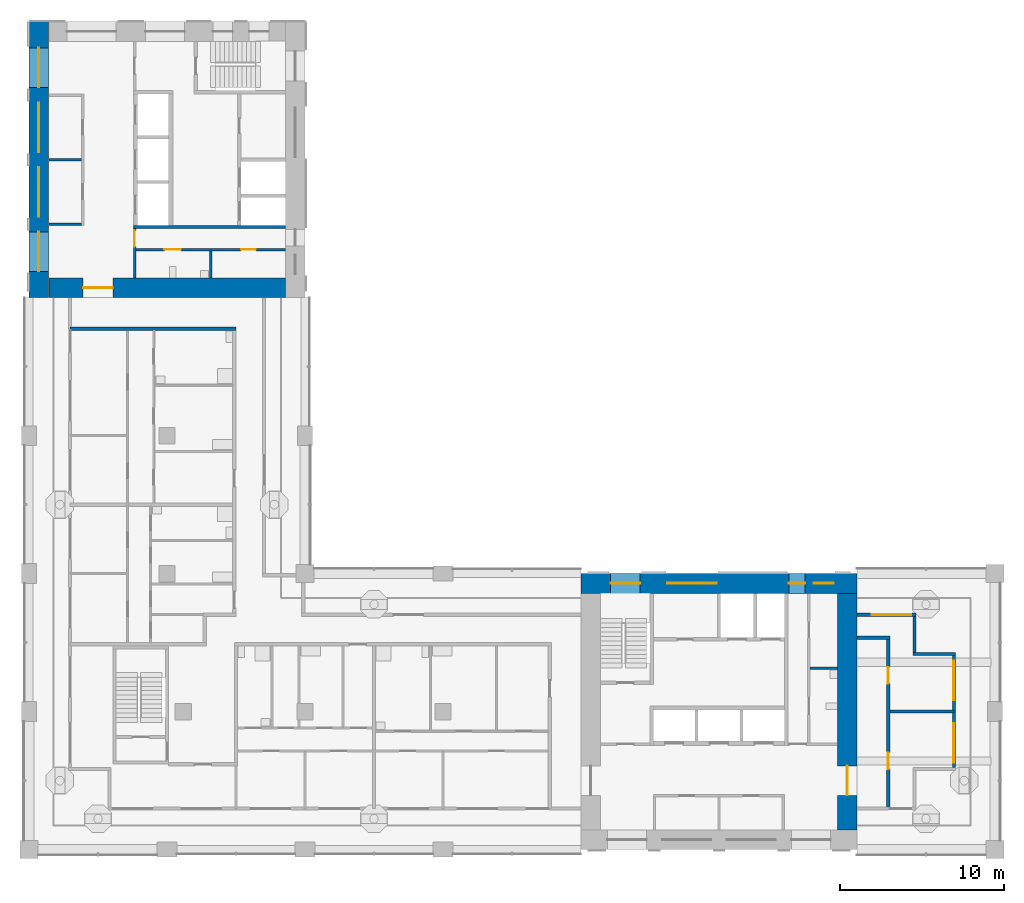
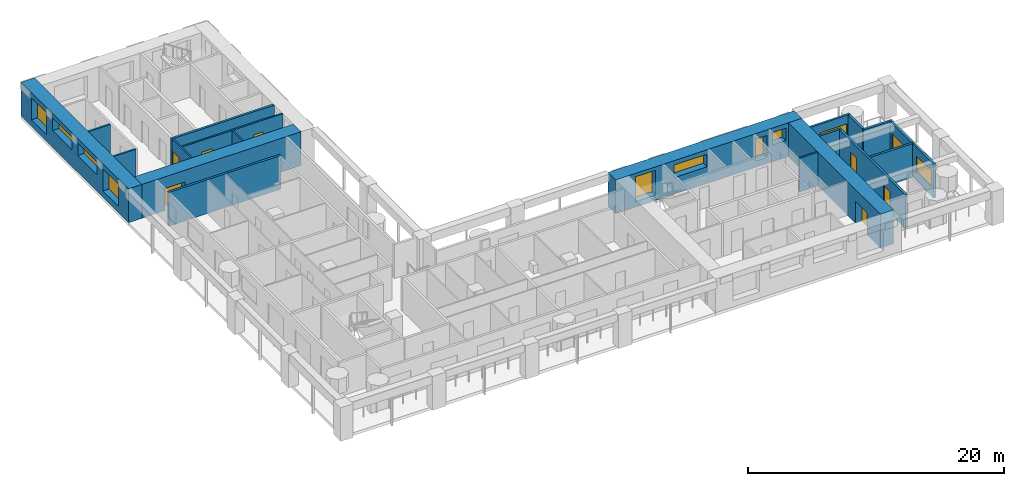
# One storey, part 5 of 13: 19 walls, 10 windows, 8 doors, 18 openings.
"""IFC4 building model written with IfcOpenShell, lengths in metres."""

from ifc_helpers import new_model, si_unit, direction, frame, frame_2d, origin, place, context, subcontext, project, spatial, rectangle, extrude, material, layer, layer_set, type_object, element, fill, save


model = new_model("IFC4")

# Units and contexts
model_context = context("Model", 3, precision=1e-05, world=origin(), true_north=direction((0.0, 1.0)))
body_context = subcontext(model_context, "Body", "Model", "MODEL_VIEW")
ifc_project = project(units=[si_unit("LENGTHUNIT", "METRE"), si_unit("AREAUNIT", "SQUARE_METRE"), si_unit("VOLUMEUNIT", "CUBIC_METRE"), si_unit("PLANEANGLEUNIT", "RADIAN"), si_unit("MASSUNIT", "GRAM", prefix="KILO")], contexts=[model_context])

# Site, building, storey
site_placement = place(None, origin())
site = spatial("IfcSite", under=ifc_project, at=site_placement, CompositionType="ELEMENT")
building_placement = place(site_placement, origin())
building = spatial("IfcBuilding", under=site, at=building_placement, Name="Vermilion Gate Residences", CompositionType="ELEMENT")
storey_placement = place(building_placement, frame((0.0, 0.0, 182.699951171875)))
storey = spatial("IfcBuildingStorey", under=building, at=storey_placement, Name="L47", CompositionType="ELEMENT", Elevation=182.699951171875)

# Walls
ifc_material_1 = material(Name="Masonry blockwork", Category="masonry")
ifc_layer_1 = layer(ifc_material_1, 0.14990234375)
ifc_layer_set_1 = layer_set([ifc_layer_1], Name="BLOCKWORK PARTITION 150 EI 120")
wall_type_1 = type_object("IfcWallType", Name="BLOCKWORK PARTITION 150 EI 120", PredefinedType="PARTITIONING", material=ifc_layer_set_1)
wall_1_placement = place(storey_placement, frame((55.949951171875, 19.449951171875, 0.0), z_axis=(0.0, 0.0, 1.0), x_axis=(1.0, 0.0, 0.0)))
element("IfcWall", 1, at=wall_1_placement, inside=storey, type_object=wall_type_1, Name="Core room partition A47-ES-P0", PredefinedType="PARTITIONING", context=body_context, shape_type="SweptSolid", body=[
    extrude(rectangle(XDim=1.650146484375, YDim=0.14990234375, at=frame_2d((0.8251953125, 0.0))), origin(), (0.0, 0.0, 1.0), 3.219970703125),
])
for number, where, z_axis, x_axis, name in (
    (2, (9.60009765625, 46.47509765625, 0.0), (0.0, 0.0, 1.0), (1.0, 0.0, 0.0), "Core room partition B47-RW-E"),
    (3, (9.60009765625, 50.39990234375, 0.0), (0.0, 0.0, 1.0), (1.0, 0.0, 0.0), "Core room partition B47-SR-P0"),
):
    element("IfcWall", number, at=place(storey_placement, frame(where, z_axis=z_axis, x_axis=x_axis)), inside=storey, type_object=wall_type_1, Name=name, PredefinedType="PARTITIONING", context=body_context, shape_type="SweptSolid", body=[
        extrude(rectangle(XDim=2.0, YDim=0.14990234375, at=frame_2d((1.0, 0.0))), origin(), (0.0, 0.0, 1.0), 3.219970703125),
    ])

# Wall, opening, door
wall_2_placement = place(storey_placement, frame((14.824951171875, 46.199951171875, 0.0), z_axis=(0.0, 0.0, 1.0), x_axis=(0.0, -1.0, 0.0)))
wall_2 = element("IfcWall", 4, at=wall_2_placement, inside=storey, type_object=wall_type_1, Name="Core room partition B47-ES-S", PredefinedType="PARTITIONING", context=body_context, shape_type="SweptSolid", body=[
    extrude(rectangle(XDim=3.0, YDim=0.14990234375, at=frame_2d((1.5, 0.0))), origin(), (0.0, 0.0, 1.0), 3.219970703125),
])
opening_1_placement = place(wall_2_placement, frame((0.10009765625, 0.0, 0.0)))
opening_1 = element("IfcOpeningElement", 5, at=opening_1_placement, cuts=wall_2, Name="Opening DK47112", PredefinedType="OPENING", context=body_context, shape_type="SweptSolid", body=[
    extrude(rectangle(XDim=1.0, YDim=2.10009765625, at=frame_2d((0.5, 1.050048828125))), frame((0.0, 0.0849609375, 0.0), z_axis=(0.0, -1.0, 0.0), x_axis=(1.0, 0.0, 0.0)), (0.0, 0.0, 1.0), 0.169921875),
])
ifc_material_2 = material(Name="Steel", Category="steel")
door_type_1 = type_object("IfcDoorType", Name="FIRE DOOR FD60 1000 X 2100", OperationType="SINGLE_SWING_LEFT", PredefinedType="DOOR", material=ifc_material_2)
door_1_placement = place(opening_1_placement, frame((1.0, 0.0, 0.0), z_axis=(0.0, 0.0, 1.0), x_axis=(-1.0, 0.0, 0.0)))
door_1 = element("IfcDoor", 6, at=door_1_placement, inside=storey, type_object=door_type_1, Name="Service corridor door B47", OperationType="SINGLE_SWING_LEFT", OverallHeight=2.10009765625, OverallWidth=1.0, PredefinedType="DOOR", context=body_context, shape_type="SweptSolid", body=[
    extrude(rectangle(XDim=1.0, YDim=2.10009765625, at=frame_2d((0.5, 1.050048828125))), frame((0.0, 0.02490234375, 0.0), z_axis=(0.0, -1.0, 0.0), x_axis=(1.0, 0.0, 0.0)), (0.0, 0.0, 1.0), 0.050048828125),
])
fill(opening_1, door_1)

# Wall
wall_3_placement = place(storey_placement, frame((19.449951171875, 44.85009765625, 0.0), z_axis=(0.0, 0.0, 1.0), x_axis=(0.0, -1.0, 0.0)))
element("IfcWall", 7, at=wall_3_placement, inside=storey, type_object=wall_type_1, Name="Core room partition B47-ES-P0", PredefinedType="PARTITIONING", context=body_context, shape_type="SweptSolid", body=[
    extrude(rectangle(XDim=1.650146484375, YDim=0.14990234375, at=frame_2d((0.8251953125, 0.0))), origin(), (0.0, 0.0, 1.0), 3.219970703125),
])

# Wall, openings, doors
wall_4_placement = place(storey_placement, frame((14.89990234375, 44.925048828125, 0.0), z_axis=(0.0, 0.0, 1.0), x_axis=(1.0, 0.0, 0.0)))
wall_4 = element("IfcWall", 8, at=wall_4_placement, inside=storey, type_object=wall_type_1, Name="Core room partition B47-ES-W", PredefinedType="PARTITIONING", context=body_context, shape_type="SweptSolid", body=[
    extrude(rectangle(XDim=9.10009765625, YDim=0.14990234375, at=frame_2d((4.550048828125, 0.0))), origin(), (0.0, 0.0, 1.0), 3.219970703125),
])
opening_2_placement = place(wall_4_placement, frame((1.737548828125, 0.0, 0.0)))
opening_2 = element("IfcOpeningElement", 9, at=opening_2_placement, cuts=wall_4, Name="Opening DK47113", PredefinedType="OPENING", context=body_context, shape_type="SweptSolid", body=[
    extrude(rectangle(XDim=1.0, YDim=2.10009765625, at=frame_2d((0.5, 1.050048828125))), frame((0.0, 0.0849609375, 0.0), z_axis=(0.0, -1.0, 0.0), x_axis=(1.0, 0.0, 0.0)), (0.0, 0.0, 1.0), 0.169921875),
])
opening_3_placement = place(wall_4_placement, frame((6.41259765625, 0.0, 0.0)))
opening_3 = element("IfcOpeningElement", 10, at=opening_3_placement, cuts=wall_4, Name="Opening DK47114", PredefinedType="OPENING", context=body_context, shape_type="SweptSolid", body=[
    extrude(rectangle(XDim=0.89990234375, YDim=2.10009765625, at=frame_2d((0.449951171875, 1.050048828125))), frame((0.0, 0.0849609375, 0.0), z_axis=(0.0, -1.0, 0.0), x_axis=(1.0, 0.0, 0.0)), (0.0, 0.0, 1.0), 0.169921875),
])
door_2_placement = place(opening_2_placement, frame((1.0, 0.0, 0.0), z_axis=(0.0, 0.0, 1.0), x_axis=(-1.0, 0.0, 0.0)))
door_2 = element("IfcDoor", 11, at=door_2_placement, inside=storey, type_object=door_type_1, Name="Accessible WC B47", OperationType="SINGLE_SWING_RIGHT", OverallHeight=2.10009765625, OverallWidth=1.0, PredefinedType="DOOR", context=body_context, shape_type="SweptSolid", body=[
    extrude(rectangle(XDim=1.0, YDim=2.10009765625, at=frame_2d((0.5, 1.050048828125))), frame((0.0, 0.02490234375, 0.0), z_axis=(0.0, -1.0, 0.0), x_axis=(1.0, 0.0, 0.0)), (0.0, 0.0, 1.0), 0.050048828125),
])
fill(opening_2, door_2)
ifc_material_3 = material(Name="Steel", Category="steel")
door_type_2 = type_object("IfcDoorType", Name="SERVICE ROOM DOOR FD60 900 X 2100", OperationType="SINGLE_SWING_LEFT", PredefinedType="DOOR", material=ifc_material_3)
door_3_placement = place(opening_3_placement, frame((0.89990234375, 0.0, 0.0), z_axis=(0.0, 0.0, 1.0), x_axis=(-1.0, 0.0, 0.0)))
door_3 = element("IfcDoor", 12, at=door_3_placement, inside=storey, type_object=door_type_2, Name="Communications room B47", OperationType="SINGLE_SWING_RIGHT", OverallHeight=2.10009765625, OverallWidth=0.89990234375, PredefinedType="DOOR", context=body_context, shape_type="SweptSolid", body=[
    extrude(rectangle(XDim=0.89990234375, YDim=2.10009765625, at=frame_2d((0.449951171875, 1.050048828125))), frame((0.0, 0.02490234375, 0.0), z_axis=(0.0, -1.0, 0.0), x_axis=(1.0, 0.0, 0.0)), (0.0, 0.0, 1.0), 0.050048828125),
])
fill(opening_3, door_3)

# Wall, openings, door, window
ifc_material_4 = material(Name="Insulated steel stud wall with terracotta rainscreen", Category="masonry")
ifc_layer_2 = layer(ifc_material_4, 0.199951171875)
ifc_layer_set_2 = layer_set([ifc_layer_2], Name="EXTERNAL WALL 200 TERRACOTTA RAINSCREEN")
wall_type_2 = type_object("IfcWallType", Name="EXTERNAL WALL 200 TERRACOTTA RAINSCREEN", PredefinedType="SOLIDWALL", material=ifc_layer_set_2)
wall_5_placement = place(storey_placement, frame((64.699951171875, 13.39990234375, 0.0), z_axis=(0.0, 0.0, 1.0), x_axis=(0.0, 1.0, 0.0)))
wall_5 = element("IfcWall", 13, at=wall_5_placement, inside=storey, type_object=wall_type_2, Name="External wall", PredefinedType="SOLIDWALL", context=body_context, shape_type="SweptSolid", body=[
    extrude(rectangle(XDim=6.800048828125, YDim=0.199951171875, at=frame_2d((3.39990234375, 0.0))), origin(), (0.0, 0.0, 1.0), 3.219970703125),
])
opening_4_placement = place(wall_5_placement, frame((0.300048828125, 0.0, 0.89990234375)))
opening_4 = element("IfcOpeningElement", 14, at=opening_4_placement, cuts=wall_5, Name="Opening WE47016", PredefinedType="OPENING", context=body_context, shape_type="SweptSolid", body=[
    extrude(rectangle(XDim=2.39990234375, YDim=1.5, at=frame_2d((1.199951171875, 0.75))), frame((0.0, 0.10986328125, 0.0), z_axis=(0.0, -1.0, 0.0), x_axis=(1.0, 0.0, 0.0)), (0.0, 0.0, 1.0), 0.219970703125),
])
opening_5_placement = place(wall_5_placement, frame((4.10009765625, 0.0, 0.0)))
opening_5 = element("IfcOpeningElement", 15, at=opening_5_placement, cuts=wall_5, Name="Opening DE47019", PredefinedType="OPENING", context=body_context, shape_type="SweptSolid", body=[
    extrude(rectangle(XDim=2.39990234375, YDim=2.199951171875, at=frame_2d((1.199951171875, 1.10009765625))), frame((0.0, 0.10986328125, 0.0), z_axis=(0.0, -1.0, 0.0), x_axis=(1.0, 0.0, 0.0)), (0.0, 0.0, 1.0), 0.219970703125),
])
ifc_material_5 = material(Name="Aluminium and clear glass", Category="aluminium")
door_type_3 = type_object("IfcDoorType", Name="SLIDING GLAZED DOOR 2400 X 2200", OperationType="DOUBLE_DOOR_SLIDING", PredefinedType="DOOR", material=ifc_material_5)
door_4_placement = place(opening_5_placement, origin())
door_4 = element("IfcDoor", 16, at=door_4_placement, inside=storey, type_object=door_type_3, Name="Loggia sliding door", OperationType="DOUBLE_DOOR_SLIDING", OverallHeight=2.199951171875, OverallWidth=2.39990234375, PredefinedType="DOOR", context=body_context, shape_type="SweptSolid", body=[
    extrude(rectangle(XDim=2.39990234375, YDim=2.199951171875, at=frame_2d((1.199951171875, 1.10009765625))), frame((0.0, 0.02490234375, 0.0), z_axis=(0.0, -1.0, 0.0), x_axis=(1.0, 0.0, 0.0)), (0.0, 0.0, 1.0), 0.050048828125),
])
fill(opening_5, door_4)
ifc_material_6 = material(Name="Aluminium and clear glass", Category="aluminium")
window_type_1 = type_object("IfcWindowType", Name="WINDOW 2400 X 1500", PartitioningType="SINGLE_PANEL", PredefinedType="WINDOW", material=ifc_material_6)
window_1_placement = place(opening_4_placement, origin())
window_1 = element("IfcWindow", 17, at=window_1_placement, inside=storey, type_object=window_type_1, Name="Window", OverallHeight=1.5, OverallWidth=2.39990234375, PartitioningType="SINGLE_PANEL", PredefinedType="WINDOW", context=body_context, shape_type="SweptSolid", body=[
    extrude(rectangle(XDim=2.39990234375, YDim=1.5, at=frame_2d((1.199951171875, 0.75))), frame((0.0, 0.030029296875, 0.0), z_axis=(0.0, -1.0, 0.0), x_axis=(1.0, 0.0, 0.0)), (0.0, 0.0, 1.0), 0.06005859375),
])
fill(opening_4, window_1)

# Walls
wall_6_placement = place(storey_placement, frame((64.800048828125, 20.300048828125, 0.0), z_axis=(0.0, 0.0, 1.0), x_axis=(-1.0, 0.0, 0.0)))
element("IfcWall", 18, at=wall_6_placement, inside=storey, type_object=wall_type_2, Name="External wall", PredefinedType="SOLIDWALL", context=body_context, shape_type="SweptSolid", body=[
    extrude(rectangle(XDim=2.60009765625, YDim=0.199951171875, at=frame_2d((1.300048828125, 0.0))), origin(), (0.0, 0.0, 1.0), 3.219970703125),
])
wall_7_placement = place(storey_placement, frame((62.300048828125, 20.39990234375, 0.0), z_axis=(0.0, 0.0, 1.0), x_axis=(0.0, 1.0, 0.0)))
element("IfcWall", 19, at=wall_7_placement, inside=storey, type_object=wall_type_2, Name="External wall", PredefinedType="SOLIDWALL", context=body_context, shape_type="SweptSolid", body=[
    extrude(rectangle(XDim=2.2001953125, YDim=0.199951171875, at=frame_2d((1.10009765625, 0.0))), origin(), (0.0, 0.0, 1.0), 3.219970703125),
])

# Wall, opening, window
wall_8_placement = place(storey_placement, frame((62.39990234375, 22.699951171875, 0.0), z_axis=(0.0, 0.0, 1.0), x_axis=(-1.0, 0.0, 0.0)))
wall_8 = element("IfcWall", 20, at=wall_8_placement, inside=storey, type_object=wall_type_2, Name="External wall", PredefinedType="SOLIDWALL", context=body_context, shape_type="SweptSolid", body=[
    extrude(rectangle(XDim=3.599853515625, YDim=0.199951171875, at=frame_2d((1.7998046875, 0.0))), origin(), (0.0, 0.0, 1.0), 3.219970703125),
])
opening_6_placement = place(wall_8_placement, frame((0.300048828125, 0.0, 0.89990234375)))
opening_6 = element("IfcOpeningElement", 21, at=opening_6_placement, cuts=wall_8, Name="Opening WE47018", PredefinedType="OPENING", context=body_context, shape_type="SweptSolid", body=[
    extrude(rectangle(XDim=2.39990234375, YDim=1.5, at=frame_2d((1.199951171875, 0.75))), frame((0.0, 0.10986328125, 0.0), z_axis=(0.0, -1.0, 0.0), x_axis=(1.0, 0.0, 0.0)), (0.0, 0.0, 1.0), 0.219970703125),
])
window_2_placement = place(opening_6_placement, origin())
window_2 = element("IfcWindow", 22, at=window_2_placement, inside=storey, type_object=window_type_1, Name="Window", OverallHeight=1.5, OverallWidth=2.39990234375, PartitioningType="SINGLE_PANEL", PredefinedType="WINDOW", context=body_context, shape_type="SweptSolid", body=[
    extrude(rectangle(XDim=2.39990234375, YDim=1.5, at=frame_2d((1.199951171875, 0.75))), frame((0.0, 0.030029296875, 0.0), z_axis=(0.0, -1.0, 0.0), x_axis=(1.0, 0.0, 0.0)), (0.0, 0.0, 1.0), 0.06005859375),
])
fill(opening_6, window_2)

# Walls
ifc_material_7 = material(Name="Fire-rated plasterboard on steel studs", Category="steel")
ifc_layer_3 = layer(ifc_material_7, 0.199951171875)
ifc_layer_set_3 = layer_set([ifc_layer_3], Name="PARTY WALL 200 EI 120")
wall_type_3 = type_object("IfcWallType", Name="PARTY WALL 200 EI 120", PredefinedType="PARTITIONING", material=ifc_layer_set_3)
wall_9_placement = place(storey_placement, frame((60.800048828125, 16.800048828125, 0.0), z_axis=(0.0, 0.0, 1.0), x_axis=(1.0, 0.0, 0.0)))
element("IfcWall", 23, at=wall_9_placement, inside=storey, type_object=wall_type_3, Name="Party and corridor wall", PredefinedType="PARTITIONING", context=body_context, shape_type="SweptSolid", body=[
    extrude(rectangle(XDim=3.89990234375, YDim=0.199951171875, at=frame_2d((1.949951171875, 0.0))), origin(), (0.0, 0.0, 1.0), 3.219970703125),
])
wall_10_placement = place(storey_placement, frame((58.800048828125, 21.300048828125, 0.0), z_axis=(0.0, 0.0, 1.0), x_axis=(1.0, 0.0, 0.0)))
element("IfcWall", 24, at=wall_10_placement, inside=storey, type_object=wall_type_3, Name="Party and corridor wall", PredefinedType="PARTITIONING", context=body_context, shape_type="SweptSolid", body=[
    extrude(rectangle(XDim=2.0, YDim=0.199951171875, at=frame_2d((1.0, 0.0))), origin(), (0.0, 0.0, 1.0), 3.219970703125),
])
wall_11_placement = place(storey_placement, frame((10.89990234375, 40.10009765625, 0.0), z_axis=(0.0, 0.0, 1.0), x_axis=(1.0, 0.0, 0.0)))
element("IfcWall", 25, at=wall_11_placement, inside=storey, type_object=wall_type_3, Name="Party and corridor wall", PredefinedType="PARTITIONING", context=body_context, shape_type="SweptSolid", body=[
    extrude(rectangle(XDim=10.10009765625, YDim=0.199951171875, at=frame_2d((5.050048828125, 0.0))), origin(), (0.0, 0.0, 1.0), 3.219970703125),
])

# Wall, openings, doors
wall_12_placement = place(storey_placement, frame((60.699951171875, 10.89990234375, 0.0), z_axis=(0.0, 0.0, 1.0), x_axis=(0.0, 1.0, 0.0)))
wall_12 = element("IfcWall", 26, at=wall_12_placement, inside=storey, type_object=wall_type_3, Name="Party and corridor wall", PredefinedType="PARTITIONING", context=body_context, shape_type="SweptSolid", body=[
    extrude(rectangle(XDim=10.300048828125, YDim=0.199951171875, at=frame_2d((5.14990234375, 0.0))), origin(), (0.0, 0.0, 1.0), 3.219970703125),
])
opening_7_placement = place(wall_12_placement, frame((2.39990234375, 0.0, 0.0)))
opening_7 = element("IfcOpeningElement", 27, at=opening_7_placement, cuts=wall_12, Name="Opening DA46028", PredefinedType="OPENING", context=body_context, shape_type="SweptSolid", body=[
    extrude(rectangle(XDim=1.0, YDim=2.10009765625, at=frame_2d((0.5, 1.050048828125))), frame((0.0, 0.10986328125, 0.0), z_axis=(0.0, -1.0, 0.0), x_axis=(1.0, 0.0, 0.0)), (0.0, 0.0, 1.0), 0.219970703125),
])
opening_8_placement = place(wall_12_placement, frame((7.60009765625, 0.0, 0.0)))
opening_8 = element("IfcOpeningElement", 28, at=opening_8_placement, cuts=wall_12, Name="Opening DA46029", PredefinedType="OPENING", context=body_context, shape_type="SweptSolid", body=[
    extrude(rectangle(XDim=1.0, YDim=2.10009765625, at=frame_2d((0.5, 1.050048828125))), frame((0.0, 0.10986328125, 0.0), z_axis=(0.0, -1.0, 0.0), x_axis=(1.0, 0.0, 0.0)), (0.0, 0.0, 1.0), 0.219970703125),
])
ifc_material_8 = material(Name="Steel", Category="steel")
door_type_4 = type_object("IfcDoorType", Name="ENTRANCE DOOR 1000 X 2100 FD30", OperationType="SINGLE_SWING_LEFT", PredefinedType="DOOR", material=ifc_material_8)
door_5_placement = place(opening_7_placement, frame((1.0, 0.0, 0.0), z_axis=(0.0, 0.0, 1.0), x_axis=(-1.0, 0.0, 0.0)))
door_5 = element("IfcDoor", 29, at=door_5_placement, inside=storey, type_object=door_type_4, Name="Entrance door", OperationType="SINGLE_SWING_RIGHT", OverallHeight=2.10009765625, OverallWidth=1.0, PredefinedType="DOOR", context=body_context, shape_type="SweptSolid", body=[
    extrude(rectangle(XDim=1.0, YDim=2.10009765625, at=frame_2d((0.5, 1.050048828125))), frame((0.0, 0.02490234375, 0.0), z_axis=(0.0, -1.0, 0.0), x_axis=(1.0, 0.0, 0.0)), (0.0, 0.0, 1.0), 0.050048828125),
])
fill(opening_7, door_5)
door_6_placement = place(opening_8_placement, frame((1.0, 0.0, 0.0), z_axis=(0.0, 0.0, 1.0), x_axis=(-1.0, 0.0, 0.0)))
door_6 = element("IfcDoor", 30, at=door_6_placement, inside=storey, type_object=door_type_4, Name="Entrance door", OperationType="SINGLE_SWING_RIGHT", OverallHeight=2.10009765625, OverallWidth=1.0, PredefinedType="DOOR", context=body_context, shape_type="SweptSolid", body=[
    extrude(rectangle(XDim=1.0, YDim=2.10009765625, at=frame_2d((0.5, 1.050048828125))), frame((0.0, 0.02490234375, 0.0), z_axis=(0.0, -1.0, 0.0), x_axis=(1.0, 0.0, 0.0)), (0.0, 0.0, 1.0), 0.050048828125),
])
fill(opening_8, door_6)

# Wall
ifc_material_9 = material(Name="Concrete C60", Category="concrete")
ifc_layer_4 = layer(ifc_material_9, 0.199951171875)
ifc_layer_set_4 = layer_set([ifc_layer_4], Name="RC CORE INTERNAL WALL 200 C60")
wall_type_4 = type_object("IfcWallType", Name="RC CORE INTERNAL WALL 200 C60", PredefinedType="SHEAR", material=ifc_layer_set_4)
wall_13_placement = place(storey_placement, frame((14.75, 46.300048828125, 0.0), z_axis=(0.0, 0.0, 1.0), x_axis=(1.0, 0.0, 0.0)))
element("IfcWall", 31, at=wall_13_placement, inside=storey, type_object=wall_type_4, Name="Core internal wall B47-EDIV", PredefinedType="SHEAR", context=body_context, shape_type="SweptSolid", body=[
    extrude(rectangle(XDim=9.25, YDim=0.199951171875, at=frame_2d((4.625, 0.0))), origin(), (0.0, 0.0, 1.0), 3.219970703125),
])

# Wall, opening, door
ifc_material_10 = material(Name="Concrete C60", Category="concrete")
ifc_layer_5 = layer(ifc_material_10, 1.199951171875)
ifc_layer_set_5 = layer_set([ifc_layer_5], Name="RC CORE WALL 1200 C60")
wall_type_5 = type_object("IfcWallType", Name="RC CORE WALL 1200 C60", PredefinedType="SHEAR", material=ifc_layer_set_5)
wall_14_placement = place(storey_placement, frame((58.199951171875, 9.60009765625, 0.0), z_axis=(0.0, 0.0, 1.0), x_axis=(0.0, 1.0, 0.0)))
wall_14 = element("IfcWall", 32, at=wall_14_placement, inside=storey, type_object=wall_type_5, Name="Core wall A47-OUT-BK", PredefinedType="SHEAR", context=body_context, shape_type="SweptSolid", body=[
    extrude(rectangle(XDim=14.39990234375, YDim=1.199951171875, at=frame_2d((7.199951171875, 0.0))), origin(), (0.0, 0.0, 1.0), 3.219970703125),
])
opening_9_placement = place(wall_14_placement, frame((2.10009765625, 0.0, 0.0)))
opening_9 = element("IfcOpeningElement", 33, at=opening_9_placement, cuts=wall_14, Name="Opening DK47002", PredefinedType="OPENING", context=body_context, shape_type="SweptSolid", body=[
    extrude(rectangle(XDim=1.800048828125, YDim=2.10009765625, at=frame_2d((0.89990234375, 1.050048828125))), frame((0.0, 0.60986328125, 0.0), z_axis=(0.0, -1.0, 0.0), x_axis=(1.0, 0.0, 0.0)), (0.0, 0.0, 1.0), 1.219970703125),
])
ifc_material_11 = material(Name="Steel", Category="steel")
door_type_5 = type_object("IfcDoorType", Name="CORE LOBBY DOOR FD60 1800 X 2100", OperationType="DOUBLE_DOOR_SINGLE_SWING", PredefinedType="DOOR", material=ifc_material_11)
door_7_placement = place(opening_9_placement, origin())
door_7 = element("IfcDoor", 34, at=door_7_placement, inside=storey, type_object=door_type_5, Name="Core lobby door A47", OperationType="DOUBLE_DOOR_SINGLE_SWING", OverallHeight=2.10009765625, OverallWidth=1.800048828125, PredefinedType="DOOR", context=body_context, shape_type="SweptSolid", body=[
    extrude(rectangle(XDim=1.800048828125, YDim=2.10009765625, at=frame_2d((0.89990234375, 1.050048828125))), frame((0.0, 0.02490234375, 0.0), z_axis=(0.0, -1.0, 0.0), x_axis=(1.0, 0.0, 0.0)), (0.0, 0.0, 1.0), 0.050048828125),
])
fill(opening_9, door_7)

wall_15_placement = place(storey_placement, frame((9.60009765625, 42.60009765625, 0.0), z_axis=(0.0, 0.0, 1.0), x_axis=(1.0, 0.0, 0.0)))
wall_15 = element("IfcWall", 35, at=wall_15_placement, inside=storey, type_object=wall_type_5, Name="Core wall B47-OUT-BK", PredefinedType="SHEAR", context=body_context, shape_type="SweptSolid", body=[
    extrude(rectangle(XDim=14.39990234375, YDim=1.199951171875, at=frame_2d((7.199951171875, 0.0))), origin(), (0.0, 0.0, 1.0), 3.219970703125),
])
opening_10_placement = place(wall_15_placement, frame((2.10009765625, 0.0, 0.0)))
opening_10 = element("IfcOpeningElement", 36, at=opening_10_placement, cuts=wall_15, Name="Opening DK47101", PredefinedType="OPENING", context=body_context, shape_type="SweptSolid", body=[
    extrude(rectangle(XDim=1.800048828125, YDim=2.10009765625, at=frame_2d((0.89990234375, 1.050048828125))), frame((0.0, 0.60986328125, 0.0), z_axis=(0.0, -1.0, 0.0), x_axis=(1.0, 0.0, 0.0)), (0.0, 0.0, 1.0), 1.219970703125),
])
door_8_placement = place(opening_10_placement, frame((1.800048828125, 0.0, 0.0), z_axis=(0.0, 0.0, 1.0), x_axis=(-1.0, 0.0, 0.0)))
door_8 = element("IfcDoor", 37, at=door_8_placement, inside=storey, type_object=door_type_5, Name="Core lobby door B47", OperationType="DOUBLE_DOOR_SINGLE_SWING", OverallHeight=2.10009765625, OverallWidth=1.800048828125, PredefinedType="DOOR", context=body_context, shape_type="SweptSolid", body=[
    extrude(rectangle(XDim=1.800048828125, YDim=2.10009765625, at=frame_2d((0.89990234375, 1.050048828125))), frame((0.0, 0.02490234375, 0.0), z_axis=(0.0, -1.0, 0.0), x_axis=(1.0, 0.0, 0.0)), (0.0, 0.0, 1.0), 0.050048828125),
])
fill(opening_10, door_8)

# Wall, openings, windows
ifc_material_12 = material(Name="Concrete C60 red-oxide pigmented", Category="concrete")
ifc_layer_6 = layer(ifc_material_12, 1.199951171875)
ifc_layer_set_6 = layer_set([ifc_layer_6], Name="RC CORE WALL 1200 C60 RED OXIDE")
wall_type_6 = type_object("IfcWallType", Name="RC CORE WALL 1200 C60 RED OXIDE", PredefinedType="SHEAR", material=ifc_layer_set_6)
wall_16_placement = place(storey_placement, frame((42.0, 24.60009765625, 0.0), z_axis=(0.0, 0.0, 1.0), x_axis=(1.0, 0.0, 0.0)))
wall_16 = element("IfcWall", 38, at=wall_16_placement, inside=storey, type_object=wall_type_6, Name="Core wall A47-OUT-B1", PredefinedType="SHEAR", context=body_context, shape_type="SweptSolid", body=[
    extrude(rectangle(XDim=16.800048828125, YDim=1.199951171875, at=frame_2d((8.39990234375, 0.0))), origin(), (0.0, 0.0, 1.0), 3.219970703125),
])
opening_11_placement = place(wall_16_placement, frame((1.800048828125, 0.0, 0.5)))
opening_11 = element("IfcOpeningElement", 39, at=opening_11_placement, cuts=wall_16, Name="Opening WKA4705", PredefinedType="OPENING", context=body_context, shape_type="SweptSolid", body=[
    extrude(rectangle(XDim=1.800048828125, YDim=2.39990234375, at=frame_2d((0.89990234375, 1.199951171875))), frame((0.0, 0.60986328125, 0.0), z_axis=(0.0, -1.0, 0.0), x_axis=(1.0, 0.0, 0.0)), (0.0, 0.0, 1.0), 1.219970703125),
])
opening_12_placement = place(wall_16_placement, frame((5.25, 0.0, 1.60009765625)))
opening_12 = element("IfcOpeningElement", 40, at=opening_12_placement, cuts=wall_16, Name="Opening WKA4706", PredefinedType="OPENING", context=body_context, shape_type="SweptSolid", body=[
    extrude(rectangle(XDim=3.0, YDim=1.199951171875, at=frame_2d((1.5, 0.60009765625))), frame((0.0, 0.60986328125, 0.0), z_axis=(0.0, -1.0, 0.0), x_axis=(1.0, 0.0, 0.0)), (0.0, 0.0, 1.0), 1.219970703125),
])
opening_13_placement = place(wall_16_placement, frame((12.64990234375, 0.0, 0.60009765625)))
opening_13 = element("IfcOpeningElement", 41, at=opening_13_placement, cuts=wall_16, Name="Opening WKA4707", PredefinedType="OPENING", context=body_context, shape_type="SweptSolid", body=[
    extrude(rectangle(XDim=1.0, YDim=2.10009765625, at=frame_2d((0.5, 1.050048828125))), frame((0.0, 0.60986328125, 0.0), z_axis=(0.0, -1.0, 0.0), x_axis=(1.0, 0.0, 0.0)), (0.0, 0.0, 1.0), 1.219970703125),
])
opening_14_placement = place(wall_16_placement, frame((14.175048828125, 0.0, 1.60009765625)))
opening_14 = element("IfcOpeningElement", 42, at=opening_14_placement, cuts=wall_16, Name="Opening WKA4708", PredefinedType="OPENING", context=body_context, shape_type="SweptSolid", body=[
    extrude(rectangle(XDim=1.199951171875, YDim=1.199951171875, at=frame_2d((0.60009765625, 0.60009765625))), frame((0.0, 0.60986328125, 0.0), z_axis=(0.0, -1.0, 0.0), x_axis=(1.0, 0.0, 0.0)), (0.0, 0.0, 1.0), 1.219970703125),
])
ifc_material_13 = material(Name="Aluminium and clear glass", Category="aluminium")
window_type_2 = type_object("IfcWindowType", Name="CORE CORRIDOR WINDOW 1000 X 2100", PartitioningType="SINGLE_PANEL", PredefinedType="WINDOW", material=ifc_material_13)
window_3_placement = place(opening_13_placement, origin())
window_3 = element("IfcWindow", 43, at=window_3_placement, inside=storey, type_object=window_type_2, Name="Core corridor window", OverallHeight=2.10009765625, OverallWidth=1.0, PartitioningType="SINGLE_PANEL", PredefinedType="WINDOW", context=body_context, shape_type="SweptSolid", body=[
    extrude(rectangle(XDim=1.0, YDim=2.10009765625, at=frame_2d((0.5, 1.050048828125))), frame((0.0, 0.030029296875, 0.0), z_axis=(0.0, -1.0, 0.0), x_axis=(1.0, 0.0, 0.0)), (0.0, 0.0, 1.0), 0.06005859375),
])
fill(opening_13, window_3)
ifc_material_14 = material(Name="Aluminium frame with louvre blades", Category="aluminium")
window_type_3 = type_object("IfcWindowType", Name="CORE LOUVRE 1200 X 1200", PartitioningType="SINGLE_PANEL", PredefinedType="WINDOW", material=ifc_material_14)
window_4_placement = place(opening_14_placement, origin())
window_4 = element("IfcWindow", 44, at=window_4_placement, inside=storey, type_object=window_type_3, Name="Core louvre", OverallHeight=1.199951171875, OverallWidth=1.199951171875, PartitioningType="SINGLE_PANEL", PredefinedType="WINDOW", context=body_context, shape_type="SweptSolid", body=[
    extrude(rectangle(XDim=1.199951171875, YDim=1.199951171875, at=frame_2d((0.60009765625, 0.60009765625))), frame((0.0, 0.030029296875, 0.0), z_axis=(0.0, -1.0, 0.0), x_axis=(1.0, 0.0, 0.0)), (0.0, 0.0, 1.0), 0.06005859375),
])
fill(opening_14, window_4)
ifc_material_15 = material(Name="Aluminium frame with louvre blades", Category="aluminium")
window_type_4 = type_object("IfcWindowType", Name="CORE LOUVRE 3000 X 1200", PartitioningType="SINGLE_PANEL", PredefinedType="WINDOW", material=ifc_material_15)
window_5_placement = place(opening_12_placement, origin())
window_5 = element("IfcWindow", 45, at=window_5_placement, inside=storey, type_object=window_type_4, Name="Core louvre", OverallHeight=1.199951171875, OverallWidth=3.0, PartitioningType="SINGLE_PANEL", PredefinedType="WINDOW", context=body_context, shape_type="SweptSolid", body=[
    extrude(rectangle(XDim=3.0, YDim=1.199951171875, at=frame_2d((1.5, 0.60009765625))), frame((0.0, 0.030029296875, 0.0), z_axis=(0.0, -1.0, 0.0), x_axis=(1.0, 0.0, 0.0)), (0.0, 0.0, 1.0), 0.06005859375),
])
fill(opening_12, window_5)
ifc_material_16 = material(Name="Aluminium and clear glass", Category="aluminium")
window_type_5 = type_object("IfcWindowType", Name="CORE STAIR WINDOW 1800 X 2400", PartitioningType="SINGLE_PANEL", PredefinedType="WINDOW", material=ifc_material_16)
window_6_placement = place(opening_11_placement, origin())
window_6 = element("IfcWindow", 46, at=window_6_placement, inside=storey, type_object=window_type_5, Name="Core stair window", OverallHeight=2.39990234375, OverallWidth=1.800048828125, PartitioningType="SINGLE_PANEL", PredefinedType="WINDOW", context=body_context, shape_type="SweptSolid", body=[
    extrude(rectangle(XDim=1.800048828125, YDim=2.39990234375, at=frame_2d((0.89990234375, 1.199951171875))), frame((0.0, 0.030029296875, 0.0), z_axis=(0.0, -1.0, 0.0), x_axis=(1.0, 0.0, 0.0)), (0.0, 0.0, 1.0), 0.06005859375),
])
fill(opening_11, window_6)

wall_17_placement = place(storey_placement, frame((9.0, 58.800048828125, 0.0), z_axis=(0.0, 0.0, 1.0), x_axis=(0.0, -1.0, 0.0)))
wall_17 = element("IfcWall", 47, at=wall_17_placement, inside=storey, type_object=wall_type_6, Name="Core wall B47-OUT-B0", PredefinedType="SHEAR", context=body_context, shape_type="SweptSolid", body=[
    extrude(rectangle(XDim=16.800048828125, YDim=1.199951171875, at=frame_2d((8.39990234375, 0.0))), origin(), (0.0, 0.0, 1.0), 3.219970703125),
])
opening_15_placement = place(wall_17_placement, frame((1.60009765625, 0.0, 0.60009765625)))
opening_15 = element("IfcOpeningElement", 48, at=opening_15_placement, cuts=wall_17, Name="Opening WKB4701", PredefinedType="OPENING", context=body_context, shape_type="SweptSolid", body=[
    extrude(rectangle(XDim=2.39990234375, YDim=2.10009765625, at=frame_2d((1.199951171875, 1.050048828125))), frame((0.0, 0.60986328125, 0.0), z_axis=(0.0, -1.0, 0.0), x_axis=(1.0, 0.0, 0.0)), (0.0, 0.0, 1.0), 1.219970703125),
])
opening_16_placement = place(wall_17_placement, frame((4.9375, 0.0, 1.60009765625)))
opening_16 = element("IfcOpeningElement", 49, at=opening_16_placement, cuts=wall_17, Name="Opening WKB4702", PredefinedType="OPENING", context=body_context, shape_type="SweptSolid", body=[
    extrude(rectangle(XDim=3.0, YDim=1.199951171875, at=frame_2d((1.5, 0.60009765625))), frame((0.0, 0.60986328125, 0.0), z_axis=(0.0, -1.0, 0.0), x_axis=(1.0, 0.0, 0.0)), (0.0, 0.0, 1.0), 1.219970703125),
])
opening_17_placement = place(wall_17_placement, frame((8.862548828125, 0.0, 1.60009765625)))
opening_17 = element("IfcOpeningElement", 50, at=opening_17_placement, cuts=wall_17, Name="Opening WKB4703", PredefinedType="OPENING", context=body_context, shape_type="SweptSolid", body=[
    extrude(rectangle(XDim=3.0, YDim=1.199951171875, at=frame_2d((1.5, 0.60009765625))), frame((0.0, 0.60986328125, 0.0), z_axis=(0.0, -1.0, 0.0), x_axis=(1.0, 0.0, 0.0)), (0.0, 0.0, 1.0), 1.219970703125),
])
opening_18_placement = place(wall_17_placement, frame((12.800048828125, 0.0, 0.60009765625)))
opening_18 = element("IfcOpeningElement", 51, at=opening_18_placement, cuts=wall_17, Name="Opening WKB4704", PredefinedType="OPENING", context=body_context, shape_type="SweptSolid", body=[
    extrude(rectangle(XDim=2.39990234375, YDim=2.10009765625, at=frame_2d((1.199951171875, 1.050048828125))), frame((0.0, 0.60986328125, 0.0), z_axis=(0.0, -1.0, 0.0), x_axis=(1.0, 0.0, 0.0)), (0.0, 0.0, 1.0), 1.219970703125),
])
ifc_material_17 = material(Name="Aluminium and clear glass", Category="aluminium")
window_type_6 = type_object("IfcWindowType", Name="CORE LOBBY WINDOW 2400 X 2100", PartitioningType="SINGLE_PANEL", PredefinedType="WINDOW", material=ifc_material_17)
window_7_placement = place(opening_15_placement, origin())
window_7 = element("IfcWindow", 52, at=window_7_placement, inside=storey, type_object=window_type_6, Name="Core lobby window", OverallHeight=2.10009765625, OverallWidth=2.39990234375, PartitioningType="SINGLE_PANEL", PredefinedType="WINDOW", context=body_context, shape_type="SweptSolid", body=[
    extrude(rectangle(XDim=2.39990234375, YDim=2.10009765625, at=frame_2d((1.199951171875, 1.050048828125))), frame((0.0, 0.030029296875, 0.0), z_axis=(0.0, -1.0, 0.0), x_axis=(1.0, 0.0, 0.0)), (0.0, 0.0, 1.0), 0.06005859375),
])
fill(opening_15, window_7)
window_8_placement = place(opening_18_placement, origin())
window_8 = element("IfcWindow", 53, at=window_8_placement, inside=storey, type_object=window_type_6, Name="Core lobby window", OverallHeight=2.10009765625, OverallWidth=2.39990234375, PartitioningType="SINGLE_PANEL", PredefinedType="WINDOW", context=body_context, shape_type="SweptSolid", body=[
    extrude(rectangle(XDim=2.39990234375, YDim=2.10009765625, at=frame_2d((1.199951171875, 1.050048828125))), frame((0.0, 0.030029296875, 0.0), z_axis=(0.0, -1.0, 0.0), x_axis=(1.0, 0.0, 0.0)), (0.0, 0.0, 1.0), 0.06005859375),
])
fill(opening_18, window_8)
window_9_placement = place(opening_16_placement, origin())
window_9 = element("IfcWindow", 54, at=window_9_placement, inside=storey, type_object=window_type_4, Name="Core louvre", OverallHeight=1.199951171875, OverallWidth=3.0, PartitioningType="SINGLE_PANEL", PredefinedType="WINDOW", context=body_context, shape_type="SweptSolid", body=[
    extrude(rectangle(XDim=3.0, YDim=1.199951171875, at=frame_2d((1.5, 0.60009765625))), frame((0.0, 0.030029296875, 0.0), z_axis=(0.0, -1.0, 0.0), x_axis=(1.0, 0.0, 0.0)), (0.0, 0.0, 1.0), 0.06005859375),
])
fill(opening_16, window_9)
window_10_placement = place(opening_17_placement, origin())
window_10 = element("IfcWindow", 55, at=window_10_placement, inside=storey, type_object=window_type_4, Name="Core louvre", OverallHeight=1.199951171875, OverallWidth=3.0, PartitioningType="SINGLE_PANEL", PredefinedType="WINDOW", context=body_context, shape_type="SweptSolid", body=[
    extrude(rectangle(XDim=3.0, YDim=1.199951171875, at=frame_2d((1.5, 0.60009765625))), frame((0.0, 0.030029296875, 0.0), z_axis=(0.0, -1.0, 0.0), x_axis=(1.0, 0.0, 0.0)), (0.0, 0.0, 1.0), 0.06005859375),
])
fill(opening_17, window_10)

save(model, "model.ifc")
